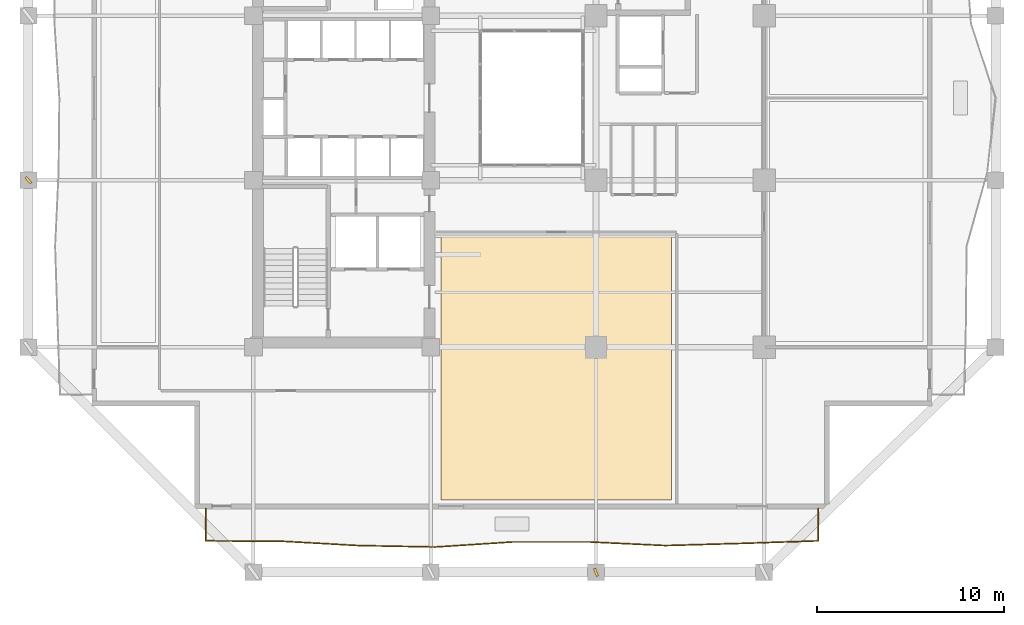
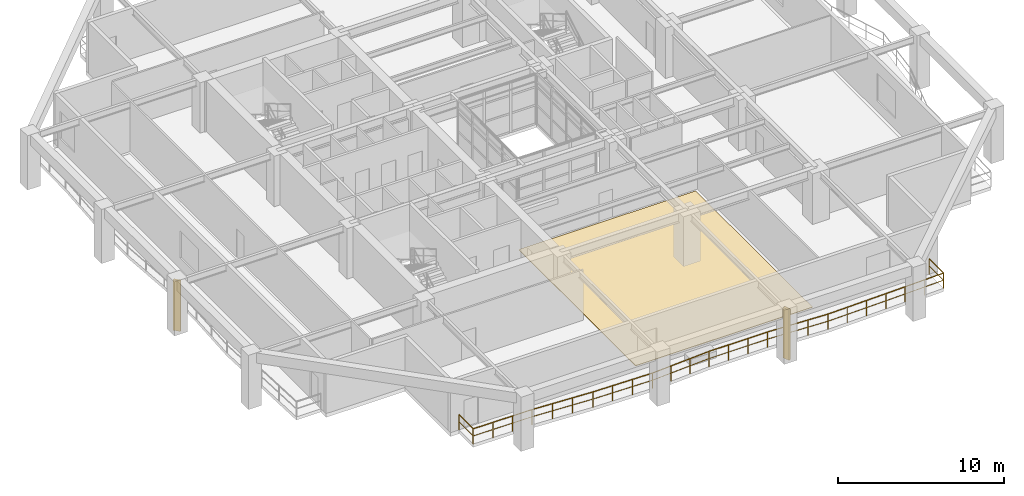
# One storey, part 11 of 17: 2 shading devices, 1 covering, 1 railing.
"""IFC4 building model written with IfcOpenShell, lengths in metres."""

from ifc_helpers import new_model, si_unit, direction, frame, origin, origin_2d, place, context, subcontext, project, spatial, polyline, rectangle, outline, extrude, material, layer, layer_set, type_object, element, save


model = new_model("IFC4")

# Units and contexts
model_context = context("Model", 3, precision=1e-05, world=origin(), true_north=direction((0.0, 1.0)))
body_context = subcontext(model_context, "Body", "Model", "MODEL_VIEW")
ifc_project = project(units=[si_unit("LENGTHUNIT", "METRE"), si_unit("AREAUNIT", "SQUARE_METRE"), si_unit("VOLUMEUNIT", "CUBIC_METRE"), si_unit("PLANEANGLEUNIT", "RADIAN"), si_unit("MASSUNIT", "GRAM", prefix="KILO")], contexts=[model_context])

# Site, building, storey
site_placement = place(None, origin())
site = spatial("IfcSite", under=ifc_project, at=site_placement, CompositionType="ELEMENT")
building_placement = place(site_placement, origin())
building = spatial("IfcBuilding", under=site, at=building_placement, Name="Kundavana Baori Tower", CompositionType="ELEMENT")
storey_placement = place(building_placement, frame((0.0, 0.0, 26.0)))
storey = spatial("IfcBuildingStorey", under=building, at=storey_placement, Name="L05", CompositionType="ELEMENT", Elevation=26.0)

# Covering
ifc_material_1 = material(Name="Honed Kota Stone and Terrazzo Flooring", Category="masonry")
ifc_layer = layer(ifc_material_1, 0.0400390625, Name="COV-FLR-TERR-40")
ifc_layer_set = layer_set([ifc_layer], Name="Honed Kota Stone and Terrazzo Flooring")
covering_type = type_object("IfcCoveringType", Name="COV-FLR-TERR-40", PredefinedType="FLOORING", material=ifc_layer_set)
covering_placement = place(storey_placement, origin())
element("IfcCovering", 1, at=covering_placement, inside=storey, type_object=covering_type, Name="L05 Room Finished Stone Flooring 2", PredefinedType="FLOORING", context=body_context, shape_type="SweptSolid", body=[
    extrude(outline(polyline([(25.5, 7.080078125), (37.840087890625, 7.080078125), (37.840087890625, 21.199951171875), (25.5, 21.199951171875), (25.5, 7.080078125)])), origin(), (0.0, 0.0, 1.0), 0.0400390625),
])

# Railing
ifc_material_2 = material(Name="Architectural Patinated Bronze Metalwork")
railing_type = type_object("IfcRailingType", Name="RL-BAL-1150", PredefinedType="BALUSTRADE", material=ifc_material_2)
railing_placement = place(storey_placement, frame((45.699951171875, 6.60009765625, 0.0)))
element("IfcRailing", 2, at=railing_placement, inside=storey, type_object=railing_type, Name="L05 Loggia Balcony Balustrade S", PredefinedType="BALUSTRADE", context=body_context, shape_type="SweptSolid", body=[
    extrude(rectangle(XDim=0.048095703125, YDim=0.048095703125, at=origin_2d()), frame((0.0, 0.0, 1.1259765625), z_axis=(0.0, -1.0, 0.0), x_axis=(1.0, 0.0, 0.0)), (0.0, 0.0, 1.0), 1.72021484375),
    extrude(rectangle(XDim=0.03125, YDim=0.03125, at=origin_2d()), frame((0.0, 0.0, 0.597900390625), z_axis=(0.0, -1.0, 0.0), x_axis=(1.0, 0.0, 0.0)), (0.0, 0.0, 1.0), 1.72021484375),
    extrude(rectangle(XDim=0.048095703125, YDim=0.048095703125, at=origin_2d()), frame((0.0, -1.72021484375, 1.1259765625), z_axis=(-0.99944246026, -0.033388151028, 0.0), x_axis=(0.033388151028, -0.99944246026, 0.0)), (0.0, 0.0, 1.0), 4.10205078125),
    extrude(rectangle(XDim=0.03125, YDim=0.03125, at=origin_2d()), frame((0.0, -1.72021484375, 0.597900390625), z_axis=(-0.99944246026, -0.033388151028, 0.0), x_axis=(0.033388151028, -0.99944246026, 0.0)), (0.0, 0.0, 1.0), 4.10205078125),
    extrude(rectangle(XDim=0.048095703125, YDim=0.048095703125, at=origin_2d()), frame((-4.099853515625, -1.857177734375, 1.1259765625), z_axis=(-0.999600250019, -0.028272604428, 0.0), x_axis=(0.028272604428, -0.999600250019, 0.0)), (0.0, 0.0, 1.0), 4.101806640625),
    extrude(rectangle(XDim=0.03125, YDim=0.03125, at=origin_2d()), frame((-4.099853515625, -1.857177734375, 0.597900390625), z_axis=(-0.999600250019, -0.028272604428, 0.0), x_axis=(0.028272604428, -0.999600250019, 0.0)), (0.0, 0.0, 1.0), 4.101806640625),
    extrude(rectangle(XDim=0.048095703125, YDim=0.048095703125, at=origin_2d()), frame((-8.199951171875, -1.97314453125, 1.1259765625), z_axis=(-0.998858833803, 0.04776013121, 0.0), x_axis=(-0.04776013121, -0.998858833803, 0.0)), (0.0, 0.0, 1.0), 4.104736328125),
    extrude(rectangle(XDim=0.03125, YDim=0.03125, at=origin_2d()), frame((-8.199951171875, -1.97314453125, 0.597900390625), z_axis=(-0.998858833803, 0.04776013121, 0.0), x_axis=(-0.04776013121, -0.998858833803, 0.0)), (0.0, 0.0, 1.0), 4.104736328125),
    extrude(rectangle(XDim=0.048095703125, YDim=0.048095703125, at=origin_2d()), frame((-12.300048828125, -1.777099609375, 1.1259765625), z_axis=(-0.999999290793, -0.001190971584, 0.0), x_axis=(0.001190971584, -0.999999290793, 0.0)), (0.0, 0.0, 1.0), 4.099853515625),
    extrude(rectangle(XDim=0.03125, YDim=0.03125, at=origin_2d()), frame((-12.300048828125, -1.777099609375, 0.597900390625), z_axis=(-0.999999290793, -0.001190971584, 0.0), x_axis=(0.001190971584, -0.999999290793, 0.0)), (0.0, 0.0, 1.0), 4.099853515625),
    extrude(rectangle(XDim=0.048095703125, YDim=0.048095703125, at=origin_2d()), frame((-16.39990234375, -1.781982421875, 1.1259765625), z_axis=(-0.997854022503, -0.065477857139, 0.0), x_axis=(0.065477857139, -0.997854022503, 0.0)), (0.0, 0.0, 1.0), 4.10888671875),
    extrude(rectangle(XDim=0.03125, YDim=0.03125, at=origin_2d()), frame((-16.39990234375, -1.781982421875, 0.597900390625), z_axis=(-0.997854022503, -0.065477857139, 0.0), x_axis=(0.065477857139, -0.997854022503, 0.0)), (0.0, 0.0, 1.0), 4.10888671875),
    extrude(rectangle(XDim=0.048095703125, YDim=0.048095703125, at=origin_2d()), frame((-20.5, -2.051025390625, 1.1259765625), z_axis=(-0.999819624612, 0.01899258383, 0.0), x_axis=(-0.01899258383, -0.999819624612, 0.0)), (0.0, 0.0, 1.0), 4.1005859375),
    extrude(rectangle(XDim=0.03125, YDim=0.03125, at=origin_2d()), frame((-20.5, -2.051025390625, 0.597900390625), z_axis=(-0.999819624612, 0.01899258383, 0.0), x_axis=(-0.01899258383, -0.999819624612, 0.0)), (0.0, 0.0, 1.0), 4.1005859375),
    extrude(rectangle(XDim=0.048095703125, YDim=0.048095703125, at=origin_2d()), frame((-24.599853515625, -1.97314453125, 1.1259765625), z_axis=(-0.998443845481, 0.055766364598, 0.0), x_axis=(-0.055766364598, -0.998443845481, 0.0)), (0.0, 0.0, 1.0), 4.1064453125),
    extrude(rectangle(XDim=0.03125, YDim=0.03125, at=origin_2d()), frame((-24.599853515625, -1.97314453125, 0.597900390625), z_axis=(-0.998443845481, 0.055766364598, 0.0), x_axis=(-0.055766364598, -0.998443845481, 0.0)), (0.0, 0.0, 1.0), 4.1064453125),
    extrude(rectangle(XDim=0.048095703125, YDim=0.048095703125, at=origin_2d()), frame((-28.699951171875, -1.744140625, 1.1259765625), z_axis=(-0.999982974387, 0.005835318059, 0.0), x_axis=(-0.005835318059, -0.999982974387, 0.0)), (0.0, 0.0, 1.0), 4.10009765625),
    extrude(rectangle(XDim=0.03125, YDim=0.03125, at=origin_2d()), frame((-28.699951171875, -1.744140625, 0.597900390625), z_axis=(-0.999982974387, 0.005835318059, 0.0), x_axis=(-0.005835318059, -0.999982974387, 0.0)), (0.0, 0.0, 1.0), 4.10009765625),
    extrude(rectangle(XDim=0.048095703125, YDim=0.048095703125, at=origin_2d()), frame((-32.800048828125, -1.72021484375, 1.1259765625), z_axis=(0.0, 1.0, 0.0), x_axis=(-1.0, 0.0, 0.0)), (0.0, 0.0, 1.0), 1.72021484375),
    extrude(rectangle(XDim=0.03125, YDim=0.03125, at=origin_2d()), frame((-32.800048828125, -1.72021484375, 0.597900390625), z_axis=(0.0, 1.0, 0.0), x_axis=(-1.0, 0.0, 0.0)), (0.0, 0.0, 1.0), 1.72021484375),
    extrude(rectangle(XDim=0.0419921875, YDim=0.0419921875, at=origin_2d()), origin(), (0.0, 0.0, 1.0), 1.101806640625),
    extrude(rectangle(XDim=0.0419921875, YDim=0.0419921875, at=origin_2d()), frame((0.0, -1.72021484375, 0.0)), (0.0, 0.0, 1.0), 1.101806640625),
    extrude(rectangle(XDim=0.0419921875, YDim=0.0419921875, at=origin_2d()), frame((-1.36669921875, -1.765869140625, 0.0)), (0.0, 0.0, 1.0), 1.101806640625),
    extrude(rectangle(XDim=0.0419921875, YDim=0.0419921875, at=origin_2d()), frame((-2.733154296875, -1.8115234375, 0.0)), (0.0, 0.0, 1.0), 1.101806640625),
    extrude(rectangle(XDim=0.0419921875, YDim=0.0419921875, at=origin_2d()), frame((-4.099853515625, -1.857177734375, 0.0)), (0.0, 0.0, 1.0), 1.101806640625),
    extrude(rectangle(XDim=0.0419921875, YDim=0.0419921875, at=origin_2d()), frame((-5.466552734375, -1.895751953125, 0.0)), (0.0, 0.0, 1.0), 1.101806640625),
    extrude(rectangle(XDim=0.0419921875, YDim=0.0419921875, at=origin_2d()), frame((-6.833251953125, -1.9345703125, 0.0)), (0.0, 0.0, 1.0), 1.101806640625),
    extrude(rectangle(XDim=0.0419921875, YDim=0.0419921875, at=origin_2d()), frame((-8.199951171875, -1.97314453125, 0.0)), (0.0, 0.0, 1.0), 1.101806640625),
    extrude(rectangle(XDim=0.0419921875, YDim=0.0419921875, at=origin_2d()), frame((-9.566650390625, -1.90771484375, 0.0)), (0.0, 0.0, 1.0), 1.101806640625),
    extrude(rectangle(XDim=0.0419921875, YDim=0.0419921875, at=origin_2d()), frame((-10.933349609375, -1.842529296875, 0.0)), (0.0, 0.0, 1.0), 1.101806640625),
    extrude(rectangle(XDim=0.0419921875, YDim=0.0419921875, at=origin_2d()), frame((-12.300048828125, -1.777099609375, 0.0)), (0.0, 0.0, 1.0), 1.101806640625),
    extrude(rectangle(XDim=0.0419921875, YDim=0.0419921875, at=origin_2d()), frame((-13.666748046875, -1.77880859375, 0.0)), (0.0, 0.0, 1.0), 1.101806640625),
    extrude(rectangle(XDim=0.0419921875, YDim=0.0419921875, at=origin_2d()), frame((-15.033203125, -1.7802734375, 0.0)), (0.0, 0.0, 1.0), 1.101806640625),
    extrude(rectangle(XDim=0.0419921875, YDim=0.0419921875, at=origin_2d()), frame((-16.39990234375, -1.781982421875, 0.0)), (0.0, 0.0, 1.0), 1.101806640625),
    extrude(rectangle(XDim=0.0419921875, YDim=0.0419921875, at=origin_2d()), frame((-17.7666015625, -1.87158203125, 0.0)), (0.0, 0.0, 1.0), 1.101806640625),
    extrude(rectangle(XDim=0.0419921875, YDim=0.0419921875, at=origin_2d()), frame((-19.13330078125, -1.96142578125, 0.0)), (0.0, 0.0, 1.0), 1.101806640625),
    extrude(rectangle(XDim=0.0419921875, YDim=0.0419921875, at=origin_2d()), frame((-20.5, -2.051025390625, 0.0)), (0.0, 0.0, 1.0), 1.101806640625),
    extrude(rectangle(XDim=0.0419921875, YDim=0.0419921875, at=origin_2d()), frame((-21.86669921875, -2.025146484375, 0.0)), (0.0, 0.0, 1.0), 1.101806640625),
    extrude(rectangle(XDim=0.0419921875, YDim=0.0419921875, at=origin_2d()), frame((-23.233154296875, -1.9990234375, 0.0)), (0.0, 0.0, 1.0), 1.101806640625),
    extrude(rectangle(XDim=0.0419921875, YDim=0.0419921875, at=origin_2d()), frame((-24.599853515625, -1.97314453125, 0.0)), (0.0, 0.0, 1.0), 1.101806640625),
    extrude(rectangle(XDim=0.0419921875, YDim=0.0419921875, at=origin_2d()), frame((-25.966552734375, -1.896728515625, 0.0)), (0.0, 0.0, 1.0), 1.101806640625),
    extrude(rectangle(XDim=0.0419921875, YDim=0.0419921875, at=origin_2d()), frame((-27.333251953125, -1.820556640625, 0.0)), (0.0, 0.0, 1.0), 1.101806640625),
    extrude(rectangle(XDim=0.0419921875, YDim=0.0419921875, at=origin_2d()), frame((-28.699951171875, -1.744140625, 0.0)), (0.0, 0.0, 1.0), 1.101806640625),
    extrude(rectangle(XDim=0.0419921875, YDim=0.0419921875, at=origin_2d()), frame((-30.066650390625, -1.736083984375, 0.0)), (0.0, 0.0, 1.0), 1.101806640625),
    extrude(rectangle(XDim=0.0419921875, YDim=0.0419921875, at=origin_2d()), frame((-31.433349609375, -1.728271484375, 0.0)), (0.0, 0.0, 1.0), 1.101806640625),
    extrude(rectangle(XDim=0.0419921875, YDim=0.0419921875, at=origin_2d()), frame((-32.800048828125, -1.72021484375, 0.0)), (0.0, 0.0, 1.0), 1.101806640625),
    extrude(rectangle(XDim=0.0419921875, YDim=0.0419921875, at=origin_2d()), frame((-32.800048828125, 0.0, 0.0)), (0.0, 0.0, 1.0), 1.101806640625),
])

# Shading devices
ifc_material_3 = material(Name="Architectural Patinated Bronze Metalwork")
shading_device_type = type_object("IfcShadingDeviceType", Name="SHD-LOUV-450", PredefinedType="SHUTTER", material=ifc_material_3)
for number, where, z_axis, x_axis, name in (
    (3, (33.800048828125, 3.199951171875, 0.0), (0.0, 0.0, 1.0), (0.927118459261, 0.37476841182, 0.0), "L05 Sweeping Dholpur Sandstone Facade Fin 3"),
    (4, (3.39990234375, 24.199951171875, 0.0), (0.0, 0.0, 1.0), (0.743728469045, 0.668481835454, 0.0), "L05 Sweeping Dholpur Sandstone Facade Fin 6"),
):
    element("IfcShadingDevice", number, at=place(storey_placement, frame(where, z_axis=z_axis, x_axis=x_axis)), inside=storey, type_object=shading_device_type, Name=name, PredefinedType="SHUTTER", context=body_context, shape_type="SweptSolid", body=[
        extrude(rectangle(XDim=0.139892578125, YDim=0.449951171875, at=origin_2d()), origin(), (0.0, 0.0, 1.0), 3.719970703125),
    ])

save(model, "model.ifc")
